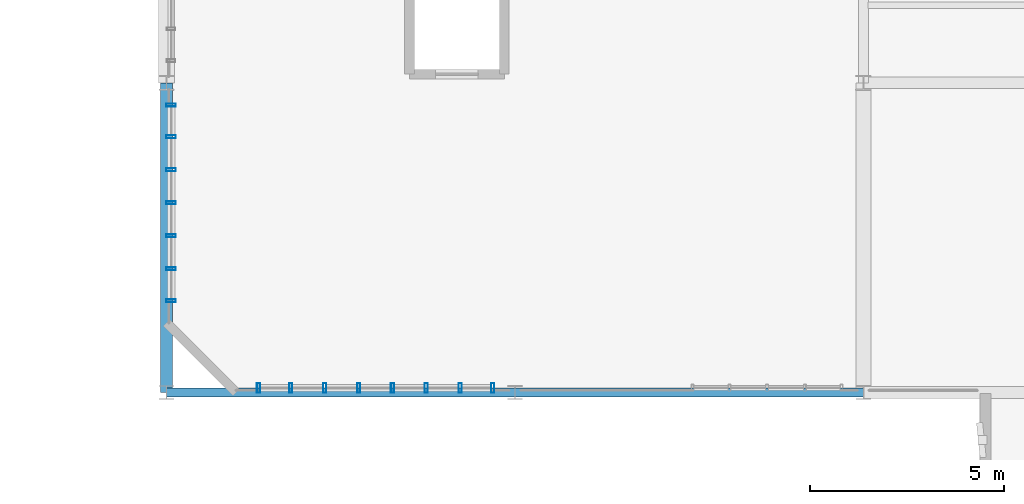
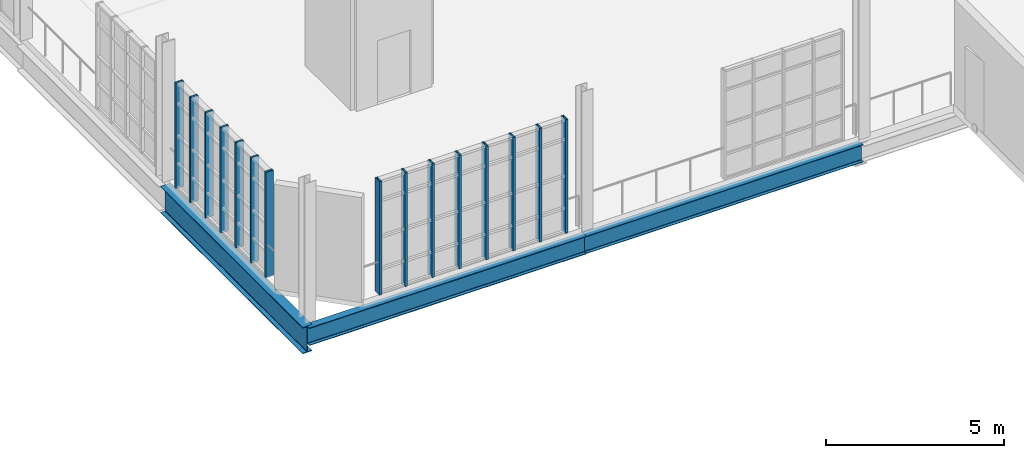
# One storey, part 7 of 85: 15 members, 3 beams, 2 elements without a shape of their own.
"""IFC4 building model written with IfcOpenShell, lengths in metres."""

from ifc_helpers import new_model, si_unit, direction, frame, origin, origin_2d, place, context, subcontext, project, spatial, hollow_rectangle, i_section, extrude, material, layer, layer_set, material_profile, profile_set, type_object, element, aggregate, save


model = new_model("IFC4")

# Units and contexts
model_context = context("Model", 3, precision=1e-05, world=origin(), true_north=direction((0.0, 1.0)))
body_context = subcontext(model_context, "Body", "Model", "MODEL_VIEW")
ifc_project = project(units=[si_unit("LENGTHUNIT", "METRE"), si_unit("AREAUNIT", "SQUARE_METRE"), si_unit("VOLUMEUNIT", "CUBIC_METRE"), si_unit("PLANEANGLEUNIT", "RADIAN"), si_unit("MASSUNIT", "GRAM", prefix="KILO"), si_unit("THERMODYNAMICTEMPERATUREUNIT", "KELVIN"), si_unit("POWERUNIT", "WATT")], contexts=[model_context])

# Site, building, storey
site_placement = place(None, origin())
site = spatial("IfcSite", under=ifc_project, at=site_placement, CompositionType="ELEMENT")
building_placement = place(site_placement, origin())
building = spatial("IfcBuilding", under=site, at=building_placement, Name="Zelmaris Science Centre", CompositionType="ELEMENT")
storey_placement = place(building_placement, frame((0.0, 0.0, 20.39990234375)))
storey = spatial("IfcBuildingStorey", under=building, at=storey_placement, Name="L04", CompositionType="ELEMENT", Elevation=20.39990234375)

# Curtain wall, members
ifc_material_1 = material(Name="Anodised architectural aluminium 6063-T6", Category="aluminium")
ifc_layer = layer(ifc_material_1, 0.18994140625, Name="Anodised architectural aluminium 6063-T6")
ifc_layer_set = layer_set([ifc_layer], Name="Anodised architectural aluminium 6063-T6")
curtain_wall_type = type_object("IfcCurtainWallType", Name="Curtain Wall CW-01", PredefinedType="USERDEFINED", material=ifc_layer_set)
curtain_wall_1_placement = place(storey_placement, origin())
curtain_wall_1 = element("IfcCurtainWall", 1, at=curtain_wall_1_placement, inside=storey, type_object=curtain_wall_type, Name="L04 Unitised curtain wall 337", ObjectType="GLAZED CURTAIN WALL", PredefinedType="USERDEFINED")
ifc_material_profile_1 = material_profile(ifc_material_1, hollow_rectangle(XDim=0.080078125, YDim=0.25, WallThickness=0.0048828125, at=origin_2d()), Name="ALU-MUL-80X250")
ifc_profile_set_1 = profile_set([ifc_material_profile_1], Name="Anodised architectural aluminium 6063-T6")
member_type = type_object("IfcMemberType", Name="ALU-MUL-80X250", PredefinedType="MULLION", material=ifc_profile_set_1)
member_1_placement = place(storey_placement, frame((54.1201171875, 66.3759765625, -0.014892578125), z_axis=(0.0, 0.0, 1.0), x_axis=(0.0, 1.0, 0.0)))
member_1 = element("IfcMember", 2, at=member_1_placement, type_object=member_type, Name="CW-01 mullion 1", PredefinedType="MULLION", context=body_context, shape_type="SweptSolid", body=[
    extrude(hollow_rectangle(XDim=0.080078125, YDim=0.25, WallThickness=0.0048828125, at=origin_2d()), origin(), (0.0, 0.0, 1.0), 3.617919921875),
])
member_2_placement = place(storey_placement, frame((54.1201171875, 67.193359375, -0.014892578125), z_axis=(0.0, 0.0, 1.0), x_axis=(0.0, 1.0, 0.0)))
member_2 = element("IfcMember", 3, at=member_2_placement, type_object=member_type, Name="CW-01 mullion 2", PredefinedType="MULLION", context=body_context, shape_type="SweptSolid", body=[
    extrude(hollow_rectangle(XDim=0.080078125, YDim=0.25, WallThickness=0.0048828125, at=origin_2d()), origin(), (0.0, 0.0, 1.0), 3.617919921875),
])
member_3_placement = place(storey_placement, frame((54.1201171875, 68.046630859375, -0.014892578125), z_axis=(0.0, 0.0, 1.0), x_axis=(0.0, 1.0, 0.0)))
member_3 = element("IfcMember", 4, at=member_3_placement, type_object=member_type, Name="CW-01 mullion 3", PredefinedType="MULLION", context=body_context, shape_type="SweptSolid", body=[
    extrude(hollow_rectangle(XDim=0.080078125, YDim=0.25, WallThickness=0.0048828125, at=origin_2d()), origin(), (0.0, 0.0, 1.0), 3.617919921875),
])
member_4_placement = place(storey_placement, frame((54.1201171875, 68.89990234375, -0.014892578125), z_axis=(0.0, 0.0, 1.0), x_axis=(0.0, 1.0, 0.0)))
member_4 = element("IfcMember", 5, at=member_4_placement, type_object=member_type, Name="CW-01 mullion 4", PredefinedType="MULLION", context=body_context, shape_type="SweptSolid", body=[
    extrude(hollow_rectangle(XDim=0.080078125, YDim=0.25, WallThickness=0.0048828125, at=origin_2d()), origin(), (0.0, 0.0, 1.0), 3.617919921875),
])
member_5_placement = place(storey_placement, frame((54.1201171875, 69.75341796875, -0.014892578125), z_axis=(0.0, 0.0, 1.0), x_axis=(0.0, 1.0, 0.0)))
member_5 = element("IfcMember", 6, at=member_5_placement, type_object=member_type, Name="CW-01 mullion 5", PredefinedType="MULLION", context=body_context, shape_type="SweptSolid", body=[
    extrude(hollow_rectangle(XDim=0.080078125, YDim=0.25, WallThickness=0.0048828125, at=origin_2d()), origin(), (0.0, 0.0, 1.0), 3.617919921875),
])
member_6_placement = place(storey_placement, frame((54.1201171875, 70.606689453125, -0.014892578125), z_axis=(0.0, 0.0, 1.0), x_axis=(0.0, 1.0, 0.0)))
member_6 = element("IfcMember", 7, at=member_6_placement, type_object=member_type, Name="CW-01 mullion 6", PredefinedType="MULLION", context=body_context, shape_type="SweptSolid", body=[
    extrude(hollow_rectangle(XDim=0.080078125, YDim=0.25, WallThickness=0.0048828125, at=origin_2d()), origin(), (0.0, 0.0, 1.0), 3.617919921875),
])
member_7_placement = place(storey_placement, frame((54.1201171875, 71.424072265625, -0.014892578125), z_axis=(0.0, 0.0, 1.0), x_axis=(0.0, 1.0, 0.0)))
member_7 = element("IfcMember", 8, at=member_7_placement, type_object=member_type, Name="CW-01 mullion 7", PredefinedType="MULLION", context=body_context, shape_type="SweptSolid", body=[
    extrude(hollow_rectangle(XDim=0.080078125, YDim=0.25, WallThickness=0.0048828125, at=origin_2d()), origin(), (0.0, 0.0, 1.0), 3.617919921875),
])
aggregate(curtain_wall_1, [member_1, member_2, member_3, member_4, member_5, member_6, member_7])

curtain_wall_2_placement = place(storey_placement, origin())
curtain_wall_2 = element("IfcCurtainWall", 9, at=curtain_wall_2_placement, inside=storey, type_object=curtain_wall_type, Name="L04 Unitised curtain wall 357", ObjectType="GLAZED CURTAIN WALL", PredefinedType="USERDEFINED")
member_8_placement = place(storey_placement, frame((62.424072265625, 64.1201171875, -0.014892578125), z_axis=(0.0, 0.0, 1.0), x_axis=(-0.999999999994, 3.490659e-06, 0.0)))
member_8 = element("IfcMember", 10, at=member_8_placement, type_object=member_type, Name="CW-01 mullion 1", PredefinedType="MULLION", context=body_context, shape_type="SweptSolid", body=[
    extrude(hollow_rectangle(XDim=0.080078125, YDim=0.25, WallThickness=0.0048828125, at=origin_2d()), origin(), (0.0, 0.0, 1.0), 3.903076171875),
])
member_9_placement = place(storey_placement, frame((61.585693359375, 64.1201171875, -0.014892578125), z_axis=(0.0, 0.0, 1.0), x_axis=(-0.999999999994, 3.490659e-06, 0.0)))
member_9 = element("IfcMember", 11, at=member_9_placement, type_object=member_type, Name="CW-01 mullion 2", PredefinedType="MULLION", context=body_context, shape_type="SweptSolid", body=[
    extrude(hollow_rectangle(XDim=0.080078125, YDim=0.25, WallThickness=0.0048828125, at=origin_2d()), origin(), (0.0, 0.0, 1.0), 3.903076171875),
])
member_10_placement = place(storey_placement, frame((60.71142578125, 64.1201171875, -0.014892578125), z_axis=(0.0, 0.0, 1.0), x_axis=(-0.999999999994, 3.490659e-06, 0.0)))
member_10 = element("IfcMember", 12, at=member_10_placement, type_object=member_type, Name="CW-01 mullion 3", PredefinedType="MULLION", context=body_context, shape_type="SweptSolid", body=[
    extrude(hollow_rectangle(XDim=0.080078125, YDim=0.25, WallThickness=0.0048828125, at=origin_2d()), origin(), (0.0, 0.0, 1.0), 3.903076171875),
])
member_11_placement = place(storey_placement, frame((59.837158203125, 64.1201171875, -0.014892578125), z_axis=(0.0, 0.0, 1.0), x_axis=(-0.999999999994, 3.490659e-06, 0.0)))
member_11 = element("IfcMember", 13, at=member_11_placement, type_object=member_type, Name="CW-01 mullion 4", PredefinedType="MULLION", context=body_context, shape_type="SweptSolid", body=[
    extrude(hollow_rectangle(XDim=0.080078125, YDim=0.25, WallThickness=0.0048828125, at=origin_2d()), origin(), (0.0, 0.0, 1.0), 3.903076171875),
])
member_12_placement = place(storey_placement, frame((58.962890625, 64.1201171875, -0.014892578125), z_axis=(0.0, 0.0, 1.0), x_axis=(-0.999999999994, 3.490659e-06, 0.0)))
member_12 = element("IfcMember", 14, at=member_12_placement, type_object=member_type, Name="CW-01 mullion 5", PredefinedType="MULLION", context=body_context, shape_type="SweptSolid", body=[
    extrude(hollow_rectangle(XDim=0.080078125, YDim=0.25, WallThickness=0.0048828125, at=origin_2d()), origin(), (0.0, 0.0, 1.0), 3.903076171875),
])
member_13_placement = place(storey_placement, frame((58.088623046875, 64.1201171875, -0.014892578125), z_axis=(0.0, 0.0, 1.0), x_axis=(-0.999999999994, 3.490659e-06, 0.0)))
member_13 = element("IfcMember", 15, at=member_13_placement, type_object=member_type, Name="CW-01 mullion 6", PredefinedType="MULLION", context=body_context, shape_type="SweptSolid", body=[
    extrude(hollow_rectangle(XDim=0.080078125, YDim=0.25, WallThickness=0.0048828125, at=origin_2d()), origin(), (0.0, 0.0, 1.0), 3.903076171875),
])
member_14_placement = place(storey_placement, frame((57.21435546875, 64.1201171875, -0.014892578125), z_axis=(0.0, 0.0, 1.0), x_axis=(-0.999999999994, 3.490659e-06, 0.0)))
member_14 = element("IfcMember", 16, at=member_14_placement, type_object=member_type, Name="CW-01 mullion 7", PredefinedType="MULLION", context=body_context, shape_type="SweptSolid", body=[
    extrude(hollow_rectangle(XDim=0.080078125, YDim=0.25, WallThickness=0.0048828125, at=origin_2d()), origin(), (0.0, 0.0, 1.0), 3.903076171875),
])
member_15_placement = place(storey_placement, frame((56.3759765625, 64.1201171875, -0.014892578125), z_axis=(0.0, 0.0, 1.0), x_axis=(-0.999999999994, 3.490659e-06, 0.0)))
member_15 = element("IfcMember", 17, at=member_15_placement, type_object=member_type, Name="CW-01 mullion 8", PredefinedType="MULLION", context=body_context, shape_type="SweptSolid", body=[
    extrude(hollow_rectangle(XDim=0.080078125, YDim=0.25, WallThickness=0.0048828125, at=origin_2d()), origin(), (0.0, 0.0, 1.0), 3.903076171875),
])
aggregate(curtain_wall_2, [member_8, member_9, member_10, member_11, member_12, member_13, member_14, member_15])

# Beams
ifc_material_2 = material(Name="Steel ASTM A992 Grade 50", Category="steel")
ifc_material_profile_2 = material_profile(ifc_material_2, i_section(OverallWidth=0.22900390625, OverallDepth=0.612060546875, WebThickness=0.011962890625, FlangeThickness=0.01953125, FilletRadius=0.014892578125, at=origin_2d()), Name="W24X84")
ifc_profile_set_2 = profile_set([ifc_material_profile_2], Name="Steel ASTM A992 Grade 50")
beam_type_1 = type_object("IfcBeamType", Name="Beam G-16 W24X84", PredefinedType="BEAM", material=ifc_profile_set_2)
beam_1_placement = place(storey_placement, frame((54.0, 64.0, -0.555908203125), z_axis=(1.0, 0.0, 0.0), x_axis=(0.0, 1.0, 0.0)))
element("IfcBeam", 18, at=beam_1_placement, inside=storey, type_object=beam_type_1, Name="L04 East-west girder 846", PredefinedType="BEAM", context=body_context, shape_type="SweptSolid", body=[
    extrude(i_section(OverallWidth=0.22900390625, OverallDepth=0.612060546875, WebThickness=0.011962890625, FlangeThickness=0.01953125, FilletRadius=0.014892578125, at=origin_2d()), origin(), (0.0, 0.0, 1.0), 9.0),
])
ifc_material_profile_3 = material_profile(ifc_material_2, i_section(OverallWidth=0.22900390625, OverallDepth=0.60205078125, WebThickness=0.010498046875, FlangeThickness=0.014892578125, FilletRadius=0.014892578125, at=origin_2d()), Name="W24X68")
ifc_profile_set_3 = profile_set([ifc_material_profile_3], Name="Steel ASTM A992 Grade 50")
beam_type_2 = type_object("IfcBeamType", Name="Beam G-17 W24X68", PredefinedType="BEAM", material=ifc_profile_set_3)
beam_2_placement = place(storey_placement, frame((63.0, 64.0, -0.55078125), z_axis=(1.0, 0.0, 0.0), x_axis=(0.0, 1.0, 0.0)))
element("IfcBeam", 19, at=beam_2_placement, inside=storey, type_object=beam_type_2, Name="L04 East-west girder 847", PredefinedType="BEAM", context=body_context, shape_type="SweptSolid", body=[
    extrude(i_section(OverallWidth=0.22900390625, OverallDepth=0.60205078125, WebThickness=0.010498046875, FlangeThickness=0.014892578125, FilletRadius=0.014892578125, at=origin_2d()), origin(), (0.0, 0.0, 1.0), 9.0),
])
ifc_material_profile_4 = material_profile(ifc_material_2, i_section(OverallWidth=0.304931640625, OverallDepth=0.912109375, WebThickness=0.015869140625, FlangeThickness=0.02392578125, FilletRadius=0.02392578125, at=origin_2d()), Name="W36X150")
ifc_profile_set_4 = profile_set([ifc_material_profile_4], Name="Steel ASTM A992 Grade 50")
beam_type_3 = type_object("IfcBeamType", Name="Beam G-27 W36X150", PredefinedType="BEAM", material=ifc_profile_set_4)
beam_3_placement = place(storey_placement, frame((54.0, 64.0, -0.705810546875), z_axis=(0.0, 1.0, 0.0), x_axis=(-1.0, 0.0, 0.0)))
element("IfcBeam", 20, at=beam_3_placement, inside=storey, type_object=beam_type_3, Name="L04 North-south girder 822", PredefinedType="BEAM", context=body_context, shape_type="SweptSolid", body=[
    extrude(i_section(OverallWidth=0.304931640625, OverallDepth=0.912109375, WebThickness=0.015869140625, FlangeThickness=0.02392578125, FilletRadius=0.02392578125, at=origin_2d()), origin(), (0.0, 0.0, 1.0), 8.0),
])

save(model, "model.ifc")
